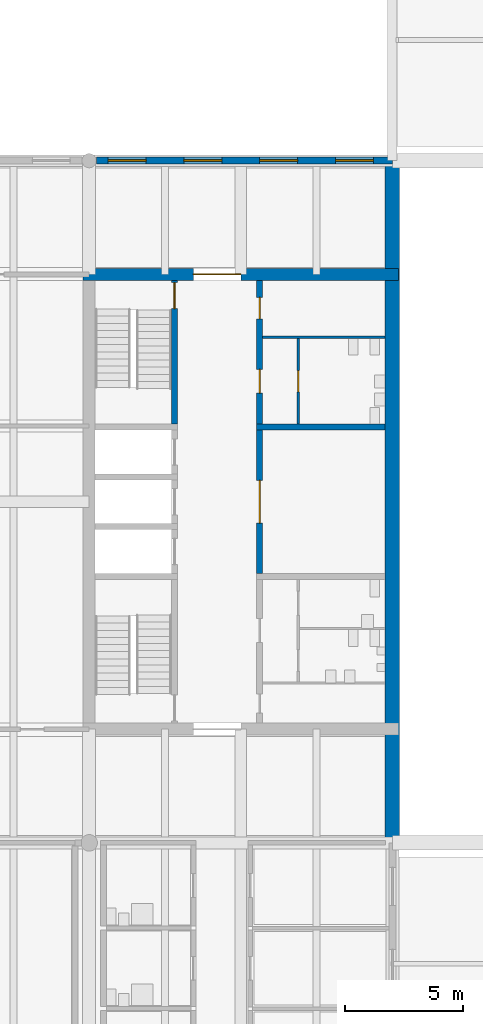
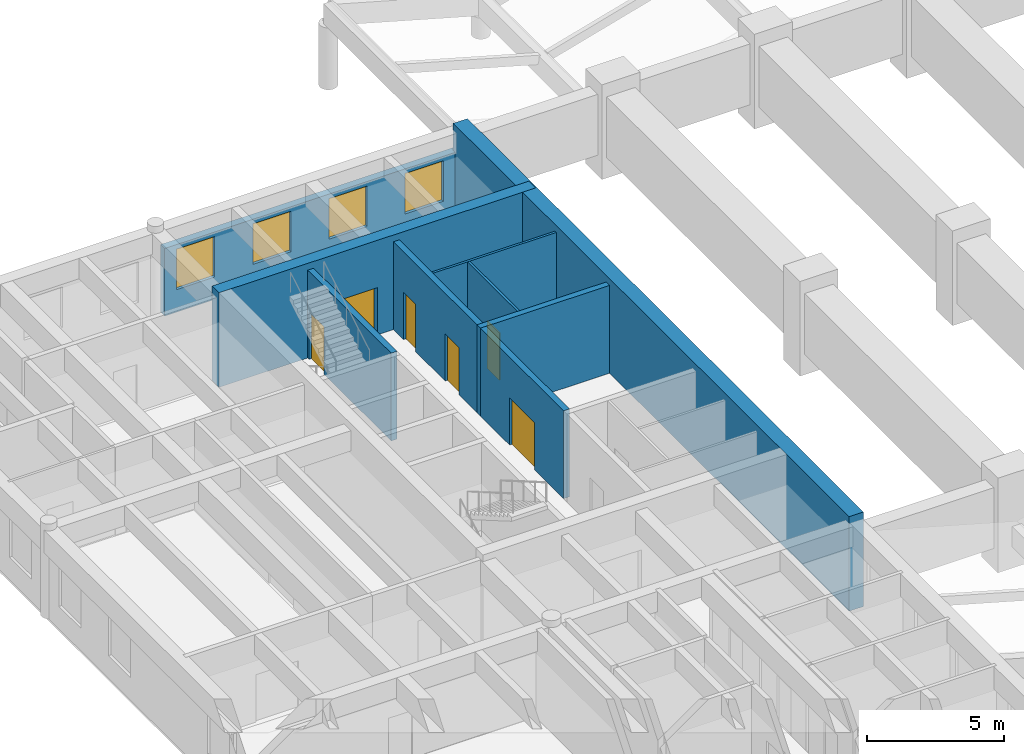
# One storey, part 9 of 19: 9 walls, 6 doors, 4 windows, 10 openings.
"""IFC4 building model written with IfcOpenShell, lengths in metres."""

from ifc_helpers import new_model, si_unit, direction, frame, frame_2d, origin, place, context, subcontext, project, spatial, rectangle, extrude, material, layer, layer_set, type_object, element, fill, save


model = new_model("IFC4")

# Units and contexts
model_context = context("Model", 3, precision=1e-05, world=origin(), true_north=direction((0.0, 1.0)))
body_context = subcontext(model_context, "Body", "Model", "MODEL_VIEW")
ifc_project = project(units=[si_unit("LENGTHUNIT", "METRE"), si_unit("AREAUNIT", "SQUARE_METRE"), si_unit("VOLUMEUNIT", "CUBIC_METRE"), si_unit("PLANEANGLEUNIT", "RADIAN"), si_unit("MASSUNIT", "GRAM", prefix="KILO")], contexts=[model_context])

# Site, building, storey
site_placement = place(None, origin())
site = spatial("IfcSite", under=ifc_project, at=site_placement, CompositionType="ELEMENT")
building_placement = place(site_placement, origin())
building = spatial("IfcBuilding", under=site, at=building_placement, Name="Fogon Plaza Fire Station and Headquarters Tower", CompositionType="ELEMENT")
storey_placement = place(building_placement, frame((0.0, 0.0, 4.199951171875)))
storey = spatial("IfcBuildingStorey", under=building, at=storey_placement, Name="L01", CompositionType="ELEMENT", Elevation=4.199951171875)

# Wall, openings, windows
ifc_material_1 = material(Name="Concrete C40", Category="concrete")
ifc_layer_1 = layer(ifc_material_1, 0.300048828125)
ifc_layer_set_1 = layer_set([ifc_layer_1], Name="Concrete C40")
wall_type_1 = type_object("IfcWallType", Name="Board-marked RC Infill Wall 300", PredefinedType="SOLIDWALL", material=ifc_layer_set_1)
wall_1_placement = place(storey_placement, frame((13.10009765625, 57.60009765625, 0.0), z_axis=(0.0, 0.0, 1.0), x_axis=(1.0, 0.0, 0.0)))
wall_1 = element("IfcWall", 1, at=wall_1_placement, inside=storey, type_object=wall_type_1, Name="Exterior wall WN L01", PredefinedType="SOLIDWALL", context=body_context, shape_type="SweptSolid", body=[
    extrude(rectangle(XDim=12.5, YDim=0.300048828125, at=frame_2d((6.25, 0.0))), origin(), (0.0, 0.0, 1.0), 3.0),
])
opening_1_placement = place(wall_1_placement, frame((0.5, 0.0, 1.0)))
opening_1 = element("IfcOpeningElement", 2, at=opening_1_placement, cuts=wall_1, Name="Opening W1", PredefinedType="OPENING", context=body_context, shape_type="SweptSolid", body=[
    extrude(rectangle(XDim=1.60009765625, YDim=1.800048828125, at=frame_2d((0.800048828125, 0.89990234375))), frame((0.0, 0.159912109375, 0.0), z_axis=(0.0, -1.0, 0.0), x_axis=(1.0, 0.0, 0.0)), (0.0, 0.0, 1.0), 0.320068359375),
])
opening_2_placement = place(wall_1_placement, frame((3.699951171875, 0.0, 1.0)))
opening_2 = element("IfcOpeningElement", 3, at=opening_2_placement, cuts=wall_1, Name="Opening W1", PredefinedType="OPENING", context=body_context, shape_type="SweptSolid", body=[
    extrude(rectangle(XDim=1.60009765625, YDim=1.800048828125, at=frame_2d((0.800048828125, 0.89990234375))), frame((0.0, 0.159912109375, 0.0), z_axis=(0.0, -1.0, 0.0), x_axis=(1.0, 0.0, 0.0)), (0.0, 0.0, 1.0), 0.320068359375),
])
opening_3_placement = place(wall_1_placement, frame((6.89990234375, 0.0, 1.0)))
opening_3 = element("IfcOpeningElement", 4, at=opening_3_placement, cuts=wall_1, Name="Opening W1", PredefinedType="OPENING", context=body_context, shape_type="SweptSolid", body=[
    extrude(rectangle(XDim=1.60009765625, YDim=1.800048828125, at=frame_2d((0.800048828125, 0.89990234375))), frame((0.0, 0.159912109375, 0.0), z_axis=(0.0, -1.0, 0.0), x_axis=(1.0, 0.0, 0.0)), (0.0, 0.0, 1.0), 0.320068359375),
])
opening_4_placement = place(wall_1_placement, frame((10.10009765625, 0.0, 1.0)))
opening_4 = element("IfcOpeningElement", 5, at=opening_4_placement, cuts=wall_1, Name="Opening W1", PredefinedType="OPENING", context=body_context, shape_type="SweptSolid", body=[
    extrude(rectangle(XDim=1.60009765625, YDim=1.800048828125, at=frame_2d((0.800048828125, 0.89990234375))), frame((0.0, 0.159912109375, 0.0), z_axis=(0.0, -1.0, 0.0), x_axis=(1.0, 0.0, 0.0)), (0.0, 0.0, 1.0), 0.320068359375),
])
ifc_material_2 = material(Name="Aluminium framed double glazing", Category="aluminium")
window_type = type_object("IfcWindowType", Name="Window W1 1600x1800", PartitioningType="SINGLE_PANEL", PredefinedType="WINDOW", material=ifc_material_2)
window_1_placement = place(opening_1_placement, origin())
window_1 = element("IfcWindow", 6, at=window_1_placement, inside=storey, type_object=window_type, Name="Window W1 N L01", OverallHeight=1.800048828125, OverallWidth=1.60009765625, PartitioningType="SINGLE_PANEL", PredefinedType="WINDOW", context=body_context, shape_type="SweptSolid", body=[
    extrude(rectangle(XDim=1.60009765625, YDim=1.800048828125, at=frame_2d((0.800048828125, 0.89990234375))), frame((0.0, 0.030029296875, 0.0), z_axis=(0.0, -1.0, 0.0), x_axis=(1.0, 0.0, 0.0)), (0.0, 0.0, 1.0), 0.06005859375),
])
fill(opening_1, window_1)
window_2_placement = place(opening_2_placement, origin())
window_2 = element("IfcWindow", 7, at=window_2_placement, inside=storey, type_object=window_type, Name="Window W1 N L01", OverallHeight=1.800048828125, OverallWidth=1.60009765625, PartitioningType="SINGLE_PANEL", PredefinedType="WINDOW", context=body_context, shape_type="SweptSolid", body=[
    extrude(rectangle(XDim=1.60009765625, YDim=1.800048828125, at=frame_2d((0.800048828125, 0.89990234375))), frame((0.0, 0.030029296875, 0.0), z_axis=(0.0, -1.0, 0.0), x_axis=(1.0, 0.0, 0.0)), (0.0, 0.0, 1.0), 0.06005859375),
])
fill(opening_2, window_2)
window_3_placement = place(opening_3_placement, origin())
window_3 = element("IfcWindow", 8, at=window_3_placement, inside=storey, type_object=window_type, Name="Window W1 N L01", OverallHeight=1.800048828125, OverallWidth=1.60009765625, PartitioningType="SINGLE_PANEL", PredefinedType="WINDOW", context=body_context, shape_type="SweptSolid", body=[
    extrude(rectangle(XDim=1.60009765625, YDim=1.800048828125, at=frame_2d((0.800048828125, 0.89990234375))), frame((0.0, 0.030029296875, 0.0), z_axis=(0.0, -1.0, 0.0), x_axis=(1.0, 0.0, 0.0)), (0.0, 0.0, 1.0), 0.06005859375),
])
fill(opening_3, window_3)
window_4_placement = place(opening_4_placement, origin())
window_4 = element("IfcWindow", 9, at=window_4_placement, inside=storey, type_object=window_type, Name="Window W1 N L01", OverallHeight=1.800048828125, OverallWidth=1.60009765625, PartitioningType="SINGLE_PANEL", PredefinedType="WINDOW", context=body_context, shape_type="SweptSolid", body=[
    extrude(rectangle(XDim=1.60009765625, YDim=1.800048828125, at=frame_2d((0.800048828125, 0.89990234375))), frame((0.0, 0.030029296875, 0.0), z_axis=(0.0, -1.0, 0.0), x_axis=(1.0, 0.0, 0.0)), (0.0, 0.0, 1.0), 0.06005859375),
])
fill(opening_4, window_4)

# Wall, opening, door
ifc_material_3 = material(Name="Concrete C40", Category="concrete")
ifc_layer_2 = layer(ifc_material_3, 0.25)
ifc_layer_set_2 = layer_set([ifc_layer_2], Name="Concrete C40")
wall_type_2 = type_object("IfcWallType", Name="Core Wall RC 250", PredefinedType="SOLIDWALL", material=ifc_layer_set_2)
wall_2_placement = place(storey_placement, frame((16.39990234375, 46.47509765625, 0.0), z_axis=(0.0, 0.0, 1.0), x_axis=(0.0, 1.0, 0.0)))
wall_2 = element("IfcWall", 10, at=wall_2_placement, inside=storey, type_object=wall_type_2, Name="Core A shaft wall", PredefinedType="SOLIDWALL", context=body_context, shape_type="SweptSolid", body=[
    extrude(rectangle(XDim=6.074951171875, YDim=0.25, at=frame_2d((3.03759765625, 0.0))), origin(), (0.0, 0.0, 1.0), 3.900146484375),
])
opening_5_placement = place(wall_2_placement, frame((4.875, 0.0, 0.0)))
opening_5 = element("IfcOpeningElement", 11, at=opening_5_placement, cuts=wall_2, Name="Opening L01-D02", PredefinedType="OPENING", context=body_context, shape_type="SweptSolid", body=[
    extrude(rectangle(XDim=1.10009765625, YDim=2.10009765625, at=frame_2d((0.550048828125, 1.050048828125))), frame((0.0, 0.135009765625, 0.0), z_axis=(0.0, -1.0, 0.0), x_axis=(1.0, 0.0, 0.0)), (0.0, 0.0, 1.0), 0.27001953125),
])
ifc_material_4 = material(Name="Steel Fire Door Leaf", Category="steel")
door_type_1 = type_object("IfcDoorType", Name="Stair Door Single 1100x2100", OperationType="SINGLE_SWING_LEFT", PredefinedType="DOOR", material=ifc_material_4)
door_1_placement = place(opening_5_placement, origin())
door_1 = element("IfcDoor", 12, at=door_1_placement, inside=storey, type_object=door_type_1, Name="Stair door ST2", OperationType="SINGLE_SWING_RIGHT", OverallHeight=2.10009765625, OverallWidth=1.10009765625, PredefinedType="DOOR", context=body_context, shape_type="SweptSolid", body=[
    extrude(rectangle(XDim=1.10009765625, YDim=2.10009765625, at=frame_2d((0.550048828125, 1.050048828125))), frame((0.0, 0.02490234375, 0.0), z_axis=(0.0, -1.0, 0.0), x_axis=(1.0, 0.0, 0.0)), (0.0, 0.0, 1.0), 0.050048828125),
])
fill(opening_5, door_1)

wall_3_placement = place(storey_placement, frame((20.0, 40.175048828125, 0.0), z_axis=(0.0, 0.0, 1.0), x_axis=(0.0, 1.0, 0.0)))
wall_3 = element("IfcWall", 13, at=wall_3_placement, inside=storey, type_object=wall_type_2, Name="Core A shaft wall", PredefinedType="SOLIDWALL", context=body_context, shape_type="SweptSolid", body=[
    extrude(rectangle(XDim=6.050048828125, YDim=0.25, at=frame_2d((3.02490234375, 0.0))), origin(), (0.0, 0.0, 1.0), 3.900146484375),
])
opening_6_placement = place(wall_3_placement, frame((2.125, 0.0, 0.0)))
opening_6 = element("IfcOpeningElement", 14, at=opening_6_placement, cuts=wall_3, Name="Opening L01-D06", PredefinedType="OPENING", context=body_context, shape_type="SweptSolid", body=[
    extrude(rectangle(XDim=1.800048828125, YDim=2.10009765625, at=frame_2d((0.89990234375, 1.050048828125))), frame((0.0, 0.135009765625, 0.0), z_axis=(0.0, -1.0, 0.0), x_axis=(1.0, 0.0, 0.0)), (0.0, 0.0, 1.0), 0.27001953125),
])
ifc_material_5 = material(Name="Steel Fire Door Leaf", Category="steel")
door_type_2 = type_object("IfcDoorType", Name="Store Double 1800x2100", OperationType="DOUBLE_DOOR_SINGLE_SWING", PredefinedType="DOOR", material=ifc_material_5)
door_2_placement = place(opening_6_placement, frame((1.800048828125, 0.0, 0.0), z_axis=(0.0, 0.0, 1.0), x_axis=(-1.0, 0.0, 0.0)))
door_2 = element("IfcDoor", 15, at=door_2_placement, inside=storey, type_object=door_type_2, Name="Service store A door", OperationType="DOUBLE_DOOR_SINGLE_SWING", OverallHeight=2.10009765625, OverallWidth=1.800048828125, PredefinedType="DOOR", context=body_context, shape_type="SweptSolid", body=[
    extrude(rectangle(XDim=1.800048828125, YDim=2.10009765625, at=frame_2d((0.89990234375, 1.050048828125))), frame((0.0, 0.02490234375, 0.0), z_axis=(0.0, -1.0, 0.0), x_axis=(1.0, 0.0, 0.0)), (0.0, 0.0, 1.0), 0.050048828125),
])
fill(opening_6, door_2)

# Wall, openings, doors
wall_4_placement = place(storey_placement, frame((20.0, 46.47509765625, 0.0), z_axis=(0.0, 0.0, 1.0), x_axis=(0.0, 1.0, 0.0)))
wall_4 = element("IfcWall", 16, at=wall_4_placement, inside=storey, type_object=wall_type_2, Name="Core A shaft wall", PredefinedType="SOLIDWALL", context=body_context, shape_type="SweptSolid", body=[
    extrude(rectangle(XDim=6.074951171875, YDim=0.25, at=frame_2d((3.03759765625, 0.0))), origin(), (0.0, 0.0, 1.0), 3.900146484375),
])
opening_7_placement = place(wall_4_placement, frame((1.3125, 0.0, 0.0)))
opening_7 = element("IfcOpeningElement", 17, at=opening_7_placement, cuts=wall_4, Name="Opening L01-D11", PredefinedType="OPENING", context=body_context, shape_type="SweptSolid", body=[
    extrude(rectangle(XDim=1.0, YDim=2.10009765625, at=frame_2d((0.5, 1.050048828125))), frame((0.0, 0.135009765625, 0.0), z_axis=(0.0, -1.0, 0.0), x_axis=(1.0, 0.0, 0.0)), (0.0, 0.0, 1.0), 0.27001953125),
])
opening_8_placement = place(wall_4_placement, frame((4.449951171875, 0.0, 0.0)))
opening_8 = element("IfcOpeningElement", 18, at=opening_8_placement, cuts=wall_4, Name="Opening L01-D13", PredefinedType="OPENING", context=body_context, shape_type="SweptSolid", body=[
    extrude(rectangle(XDim=0.89990234375, YDim=2.10009765625, at=frame_2d((0.449951171875, 1.050048828125))), frame((0.0, 0.135009765625, 0.0), z_axis=(0.0, -1.0, 0.0), x_axis=(1.0, 0.0, 0.0)), (0.0, 0.0, 1.0), 0.27001953125),
])
ifc_material_6 = material(Name="Steel Fire Door Leaf", Category="steel")
door_type_3 = type_object("IfcDoorType", Name="Riser Single 900x2100", OperationType="SINGLE_SWING_LEFT", PredefinedType="DOOR", material=ifc_material_6)
door_3_placement = place(opening_8_placement, frame((0.89990234375, 0.0, 0.0), z_axis=(0.0, 0.0, 1.0), x_axis=(-1.0, 0.0, 0.0)))
door_3 = element("IfcDoor", 19, at=door_3_placement, inside=storey, type_object=door_type_3, Name="Riser room A door", OperationType="SINGLE_SWING_LEFT", OverallHeight=2.10009765625, OverallWidth=0.89990234375, PredefinedType="DOOR", context=body_context, shape_type="SweptSolid", body=[
    extrude(rectangle(XDim=0.89990234375, YDim=2.10009765625, at=frame_2d((0.449951171875, 1.050048828125))), frame((0.0, 0.02490234375, 0.0), z_axis=(0.0, -1.0, 0.0), x_axis=(1.0, 0.0, 0.0)), (0.0, 0.0, 1.0), 0.050048828125),
])
fill(opening_8, door_3)
ifc_material_7 = material(Name="Timber fire door", Category="wood")
door_type_4 = type_object("IfcDoorType", Name="WC Lobby Single 1000x2100", OperationType="SINGLE_SWING_LEFT", PredefinedType="DOOR", material=ifc_material_7)
door_4_placement = place(opening_7_placement, frame((1.0, 0.0, 0.0), z_axis=(0.0, 0.0, 1.0), x_axis=(-1.0, 0.0, 0.0)))
door_4 = element("IfcDoor", 20, at=door_4_placement, inside=storey, type_object=door_type_4, Name="Women's WC lobby A door", OperationType="SINGLE_SWING_LEFT", OverallHeight=2.10009765625, OverallWidth=1.0, PredefinedType="DOOR", context=body_context, shape_type="SweptSolid", body=[
    extrude(rectangle(XDim=1.0, YDim=2.10009765625, at=frame_2d((0.5, 1.050048828125))), frame((0.0, 0.02490234375, 0.0), z_axis=(0.0, -1.0, 0.0), x_axis=(1.0, 0.0, 0.0)), (0.0, 0.0, 1.0), 0.050048828125),
])
fill(opening_7, door_4)

# Wall
wall_5_placement = place(storey_placement, frame((19.875, 46.35009765625, 0.0), z_axis=(0.0, 0.0, 1.0), x_axis=(1.0, 0.0, 0.0)))
element("IfcWall", 21, at=wall_5_placement, inside=storey, type_object=wall_type_2, Name="Core A shaft wall", PredefinedType="SOLIDWALL", context=body_context, shape_type="SweptSolid", body=[
    extrude(rectangle(XDim=5.425048828125, YDim=0.25, at=frame_2d((2.71240234375, 0.0))), origin(), (0.0, 0.0, 1.0), 3.900146484375),
])

# Wall, opening, door
ifc_material_8 = material(Name="Blockwork", Category="masonry")
ifc_layer_3 = layer(ifc_material_8, 0.10009765625)
ifc_layer_set_3 = layer_set([ifc_layer_3], Name="Blockwork")
wall_type_3 = type_object("IfcWallType", Name="Partition Blockwork 100", PredefinedType="PARTITIONING", material=ifc_layer_set_3)
wall_6_placement = place(storey_placement, frame((21.625, 46.47509765625, 0.0), z_axis=(0.0, 0.0, 1.0), x_axis=(0.0, 1.0, 0.0)))
wall_6 = element("IfcWall", 22, at=wall_6_placement, inside=storey, type_object=wall_type_3, Name="WC block partition", PredefinedType="PARTITIONING", context=body_context, shape_type="SweptSolid", body=[
    extrude(rectangle(XDim=3.625, YDim=0.10009765625, at=frame_2d((1.8125, 0.0))), origin(), (0.0, 0.0, 1.0), 3.900146484375),
])
opening_9_placement = place(wall_6_placement, frame((1.362548828125, 0.0, 0.0)))
opening_9 = element("IfcOpeningElement", 23, at=opening_9_placement, cuts=wall_6, Name="Opening L01-D12", PredefinedType="OPENING", context=body_context, shape_type="SweptSolid", body=[
    extrude(rectangle(XDim=0.89990234375, YDim=2.10009765625, at=frame_2d((0.449951171875, 1.050048828125))), frame((0.0, 0.06005859375, 0.0), z_axis=(0.0, -1.0, 0.0), x_axis=(1.0, 0.0, 0.0)), (0.0, 0.0, 1.0), 0.1201171875),
])
ifc_material_9 = material(Name="Timber Door Leaf", Category="wood")
door_type_5 = type_object("IfcDoorType", Name="WC Single 900x2100", OperationType="SINGLE_SWING_LEFT", PredefinedType="DOOR", material=ifc_material_9)
door_5_placement = place(opening_9_placement, frame((0.89990234375, 0.0, 0.0), z_axis=(0.0, 0.0, 1.0), x_axis=(-1.0, 0.0, 0.0)))
door_5 = element("IfcDoor", 24, at=door_5_placement, inside=storey, type_object=door_type_5, Name="Women's WC A door", OperationType="SINGLE_SWING_RIGHT", OverallHeight=2.10009765625, OverallWidth=0.89990234375, PredefinedType="DOOR", context=body_context, shape_type="SweptSolid", body=[
    extrude(rectangle(XDim=0.89990234375, YDim=2.10009765625, at=frame_2d((0.449951171875, 1.050048828125))), frame((0.0, 0.02490234375, 0.0), z_axis=(0.0, -1.0, 0.0), x_axis=(1.0, 0.0, 0.0)), (0.0, 0.0, 1.0), 0.050048828125),
])
fill(opening_9, door_5)

# Wall
ifc_material_10 = material(Name="Blockwork", Category="masonry")
ifc_layer_4 = layer(ifc_material_10, 0.10009765625)
ifc_layer_set_4 = layer_set([ifc_layer_4], Name="Blockwork")
wall_type_4 = type_object("IfcWallType", Name="Riser Partition Blockwork 100", PredefinedType="PARTITIONING", material=ifc_layer_set_4)
wall_7_placement = place(storey_placement, frame((20.125, 50.14990234375, 0.0), z_axis=(0.0, 0.0, 1.0), x_axis=(1.0, 0.0, 0.0)))
element("IfcWall", 25, at=wall_7_placement, inside=storey, type_object=wall_type_4, Name="Riser room partition", PredefinedType="PARTITIONING", context=body_context, shape_type="SweptSolid", body=[
    extrude(rectangle(XDim=5.175048828125, YDim=0.10009765625, at=frame_2d((2.58740234375, 0.0))), origin(), (0.0, 0.0, 1.0), 3.900146484375),
])

# Wall, opening, door
ifc_material_11 = material(Name="Concrete C40", Category="concrete")
ifc_layer_5 = layer(ifc_material_11, 0.5)
ifc_layer_set_5 = layer_set([ifc_layer_5], Name="Concrete C40")
wall_type_5 = type_object("IfcWallType", Name="Shear wall 500 SW50", PredefinedType="SHEAR", material=ifc_layer_set_5)
wall_8_placement = place(storey_placement, frame((12.550048828125, 52.800048828125, 0.0), z_axis=(0.0, 0.0, 1.0), x_axis=(1.0, 0.0, 0.0)))
wall_8 = element("IfcWall", 26, at=wall_8_placement, inside=storey, type_object=wall_type_5, Name="wall-coreA-N-L01", PredefinedType="SHEAR", context=body_context, shape_type="SweptSolid", body=[
    extrude(rectangle(XDim=13.300048828125, YDim=0.5, at=frame_2d((6.64990234375, 0.0))), origin(), (0.0, 0.0, 1.0), 4.199951171875),
])
opening_10_placement = place(wall_8_placement, frame((4.64990234375, 0.0, 0.0)))
opening_10 = element("IfcOpeningElement", 27, at=opening_10_placement, cuts=wall_8, Name="Opening L01-D15", PredefinedType="OPENING", context=body_context, shape_type="SweptSolid", body=[
    extrude(rectangle(XDim=2.0, YDim=2.10009765625, at=frame_2d((1.0, 1.050048828125))), frame((0.0, 0.260009765625, 0.0), z_axis=(0.0, -1.0, 0.0), x_axis=(1.0, 0.0, 0.0)), (0.0, 0.0, 1.0), 0.52001953125),
])
ifc_material_12 = material(Name="Steel Fire Door Leaf", Category="steel")
door_type_6 = type_object("IfcDoorType", Name="Core Lobby Double 2000x2100", OperationType="DOUBLE_DOOR_SINGLE_SWING", PredefinedType="DOOR", material=ifc_material_12)
door_6_placement = place(opening_10_placement, frame((2.0, 0.0, 0.0), z_axis=(0.0, 0.0, 1.0), x_axis=(-1.0, 0.0, 0.0)))
door_6 = element("IfcDoor", 28, at=door_6_placement, inside=storey, type_object=door_type_6, Name="Core A lobby door N", OperationType="DOUBLE_DOOR_SINGLE_SWING", OverallHeight=2.10009765625, OverallWidth=2.0, PredefinedType="DOOR", context=body_context, shape_type="SweptSolid", body=[
    extrude(rectangle(XDim=2.0, YDim=2.10009765625, at=frame_2d((1.0, 1.050048828125))), frame((0.0, 0.02490234375, 0.0), z_axis=(0.0, -1.0, 0.0), x_axis=(1.0, 0.0, 0.0)), (0.0, 0.0, 1.0), 0.050048828125),
])
fill(opening_10, door_6)

# Wall
ifc_material_13 = material(Name="Concrete C40", Category="concrete")
ifc_layer_6 = layer(ifc_material_13, 0.60009765625)
ifc_layer_set_6 = layer_set([ifc_layer_6], Name="Concrete C40")
wall_type_6 = type_object("IfcWallType", Name="Shear wall 600 BW60", PredefinedType="SHEAR", material=ifc_layer_set_6)
wall_9_placement = place(storey_placement, frame((25.60009765625, 28.800048828125, 0.0), z_axis=(0.0, 0.0, 1.0), x_axis=(0.0, 1.0, 0.0)))
element("IfcWall", 29, at=wall_9_placement, inside=storey, type_object=wall_type_6, Name="wall-bay-W-L01", PredefinedType="SHEAR", context=body_context, shape_type="SweptSolid", body=[
    extrude(rectangle(XDim=28.800048828125, YDim=0.60009765625, at=frame_2d((14.39990234375, 0.0))), origin(), (0.0, 0.0, 1.0), 4.199951171875),
])

save(model, "model.ifc")
